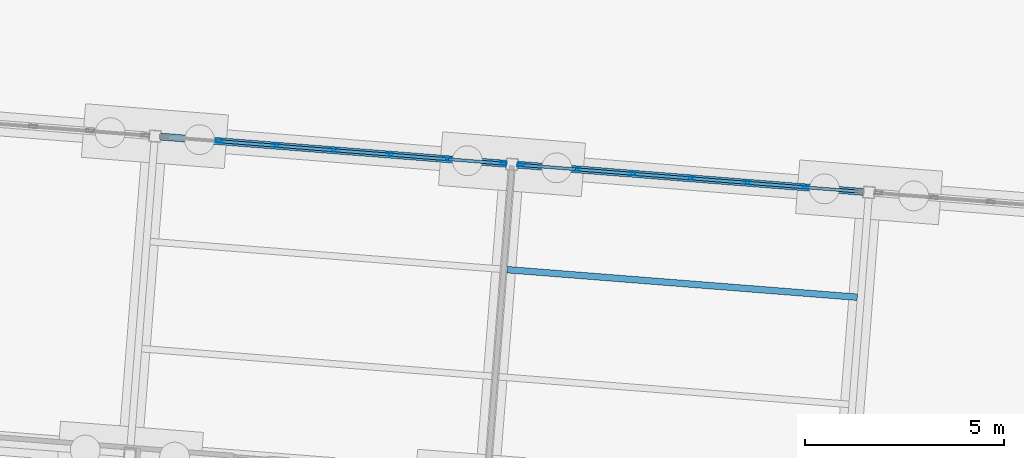
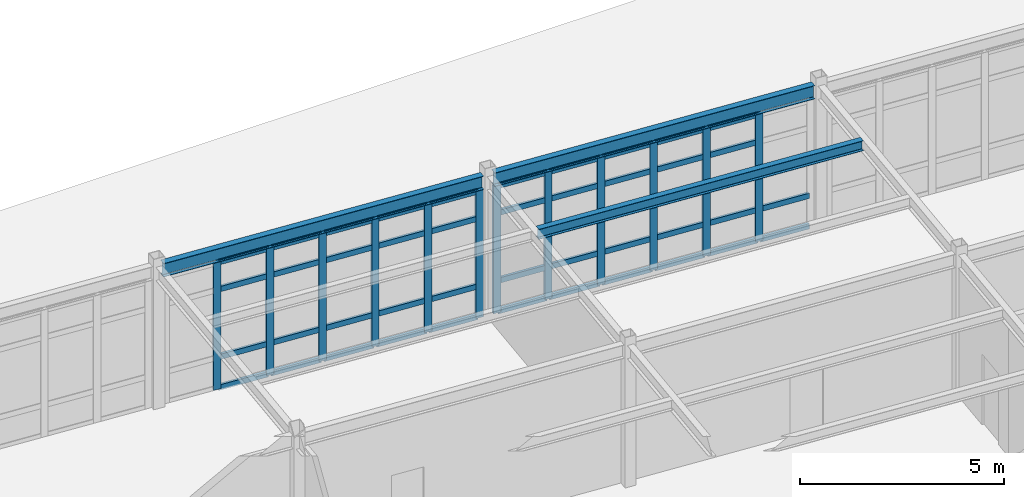
# One storey, part 80 of 154: 54 members, 3 beams, 2 elements without a shape of their own.
"""IFC4 building model written with IfcOpenShell, lengths in metres."""

from ifc_helpers import new_model, si_unit, direction, frame, origin, origin_2d, place, context, subcontext, project, spatial, hollow_rectangle, i_section, extrude, material, material_profile, profile_set, type_object, element, aggregate, save


model = new_model("IFC4")

# Units and contexts
model_context = context("Model", 3, precision=1e-05, world=origin(), true_north=direction((0.0, 1.0)))
body_context = subcontext(model_context, "Body", "Model", "MODEL_VIEW")
ifc_project = project(units=[si_unit("LENGTHUNIT", "METRE"), si_unit("AREAUNIT", "SQUARE_METRE"), si_unit("VOLUMEUNIT", "CUBIC_METRE"), si_unit("PLANEANGLEUNIT", "RADIAN"), si_unit("MASSUNIT", "GRAM", prefix="KILO")], contexts=[model_context])

# Site, building, storey
site_placement = place(None, origin())
site = spatial("IfcSite", under=ifc_project, at=site_placement, CompositionType="ELEMENT")
building_placement = place(site_placement, origin())
building = spatial("IfcBuilding", under=site, at=building_placement, Name="Kestramere Prow Commons", CompositionType="ELEMENT")
storey_placement = place(building_placement, origin())
storey = spatial("IfcBuildingStorey", under=building, at=storey_placement, Name="L00", CompositionType="ELEMENT", Elevation=0.0)

# Beams
ifc_material_1 = material(Name="Steel S355JR", Category="steel")
ifc_material_profile_1 = material_profile(ifc_material_1, i_section(OverallWidth=0.177978515625, OverallDepth=0.406494140625, WebThickness=0.0078125, FlangeThickness=0.0126953125, FilletRadius=0.01025390625, at=origin_2d()), Name="UB 406x178x60")
ifc_profile_set_1 = profile_set([ifc_material_profile_1], Name="Steel S355JR")
beam_type_1 = type_object("IfcBeamType", Name="BM-NR-01 UB 406x178x60 (EX)", PredefinedType="BEAM", material=ifc_profile_set_1)
beam_1_placement = place(storey_placement, frame((79.604736328125, 108.7080078125, 4.046875), z_axis=(0.996919433544, -0.078432410537, 0.0), x_axis=(0.078432410537, 0.996919433544, 0.0)))
element("IfcBeam", 1, at=beam_1_placement, inside=storey, type_object=beam_type_1, Name="Nursery L00 Beam U 4-2", PredefinedType="BEAM", context=body_context, shape_type="SweptSolid", body=[
    extrude(i_section(OverallWidth=0.177978515625, OverallDepth=0.406494140625, WebThickness=0.0078125, FlangeThickness=0.0126953125, FilletRadius=0.01025390625, at=origin_2d()), origin(), (0.0, 0.0, 1.0), 8.7001953125),
])
beam_2_placement = place(storey_placement, frame((88.5771484375, 108.001953125, 4.046875), z_axis=(0.996917066238, -0.078462494502, 0.0), x_axis=(0.078462494502, 0.996917066238, 0.0)))
element("IfcBeam", 2, at=beam_2_placement, inside=storey, type_object=beam_type_1, Name="Nursery L00 Beam U 4-3", PredefinedType="BEAM", context=body_context, shape_type="SweptSolid", body=[
    extrude(i_section(OverallWidth=0.177978515625, OverallDepth=0.406494140625, WebThickness=0.0078125, FlangeThickness=0.0126953125, FilletRadius=0.01025390625, at=origin_2d()), origin(), (0.0, 0.0, 1.0), 8.699951171875),
])

# Curtain wall, members
ifc_material_2 = material(Name="Anodised Aluminium and Low-E Glass", Category="aluminium")
curtain_wall_type = type_object("IfcCurtainWallType", Name="CW-13 Glazed Curtain Wall 8600x3830", PredefinedType="USERDEFINED", material=ifc_material_2)
curtain_wall_1_placement = place(storey_placement, origin())
curtain_wall_1 = element("IfcCurtainWall", 3, at=curtain_wall_1_placement, inside=storey, type_object=curtain_wall_type, Name="Nursery L00 North Garden Glazing 2", ObjectType="GLAZED CURTAIN WALL", PredefinedType="USERDEFINED")
ifc_material_3 = material(Name="Anodised Aluminium 6063-T6", Category="aluminium")
ifc_material_profile_2 = material_profile(ifc_material_3, hollow_rectangle(XDim=0.074951171875, YDim=0.199951171875, WallThickness=0.0048828125, at=origin_2d()), Name="ALU-MUL 75x200")
ifc_profile_set_2 = profile_set([ifc_material_profile_2], Name="Anodised Aluminium 6063-T6")
member_type_1 = type_object("IfcMemberType", Name="CW-MUL-75x200", PredefinedType="MULLION", material=ifc_profile_set_2)
member_1_placement = place(storey_placement, frame((81.08349609375, 108.591796875, 0.0), z_axis=(0.0, 0.0, 1.0), x_axis=(0.078459070568, 0.996917335713, 0.0)))
member_1 = element("IfcMember", 4, at=member_1_placement, type_object=member_type_1, Name="CW-13 mullion 2", PredefinedType="MULLION", context=body_context, shape_type="SweptSolid", body=[
    extrude(hollow_rectangle(XDim=0.074951171875, YDim=0.199951171875, WallThickness=0.0048828125, at=origin_2d()), origin(), (0.0, 0.0, 1.0), 3.830078125),
])
member_2_placement = place(storey_placement, frame((82.512451171875, 108.479248046875, 0.0), z_axis=(0.0, 0.0, 1.0), x_axis=(0.078459070568, 0.996917335713, 0.0)))
member_2 = element("IfcMember", 5, at=member_2_placement, type_object=member_type_1, Name="CW-13 mullion 3", PredefinedType="MULLION", context=body_context, shape_type="SweptSolid", body=[
    extrude(hollow_rectangle(XDim=0.074951171875, YDim=0.199951171875, WallThickness=0.0048828125, at=origin_2d()), origin(), (0.0, 0.0, 1.0), 3.830078125),
])
member_3_placement = place(storey_placement, frame((83.94140625, 108.36669921875, 0.0), z_axis=(0.0, 0.0, 1.0), x_axis=(0.078459070568, 0.996917335713, 0.0)))
member_3 = element("IfcMember", 6, at=member_3_placement, type_object=member_type_1, Name="CW-13 mullion 4", PredefinedType="MULLION", context=body_context, shape_type="SweptSolid", body=[
    extrude(hollow_rectangle(XDim=0.074951171875, YDim=0.199951171875, WallThickness=0.0048828125, at=origin_2d()), origin(), (0.0, 0.0, 1.0), 3.830078125),
])
member_4_placement = place(storey_placement, frame((85.370361328125, 108.25439453125, 0.0), z_axis=(0.0, 0.0, 1.0), x_axis=(0.078459070568, 0.996917335713, 0.0)))
member_4 = element("IfcMember", 7, at=member_4_placement, type_object=member_type_1, Name="CW-13 mullion 5", PredefinedType="MULLION", context=body_context, shape_type="SweptSolid", body=[
    extrude(hollow_rectangle(XDim=0.074951171875, YDim=0.199951171875, WallThickness=0.0048828125, at=origin_2d()), origin(), (0.0, 0.0, 1.0), 3.830078125),
])
member_5_placement = place(storey_placement, frame((86.79931640625, 108.141845703125, 0.0), z_axis=(0.0, 0.0, 1.0), x_axis=(0.078459070568, 0.996917335713, 0.0)))
member_5 = element("IfcMember", 8, at=member_5_placement, type_object=member_type_1, Name="CW-13 mullion 6", PredefinedType="MULLION", context=body_context, shape_type="SweptSolid", body=[
    extrude(hollow_rectangle(XDim=0.074951171875, YDim=0.199951171875, WallThickness=0.0048828125, at=origin_2d()), origin(), (0.0, 0.0, 1.0), 3.830078125),
])
member_6_placement = place(storey_placement, frame((88.190673828125, 108.032470703125, 0.0), z_axis=(0.0, 0.0, 1.0), x_axis=(0.078459070568, 0.996917335713, 0.0)))
member_6 = element("IfcMember", 9, at=member_6_placement, type_object=member_type_1, Name="CW-13 mullion 7", PredefinedType="MULLION", context=body_context, shape_type="SweptSolid", body=[
    extrude(hollow_rectangle(XDim=0.074951171875, YDim=0.199951171875, WallThickness=0.0048828125, at=origin_2d()), origin(), (0.0, 0.0, 1.0), 3.830078125),
])

curtain_wall_2_placement = place(storey_placement, origin())
curtain_wall_2 = element("IfcCurtainWall", 10, at=curtain_wall_2_placement, inside=storey, type_object=curtain_wall_type, Name="Nursery L00 North Garden Glazing 3", ObjectType="GLAZED CURTAIN WALL", PredefinedType="USERDEFINED")
member_7_placement = place(storey_placement, frame((88.664306640625, 107.9951171875, 0.0), z_axis=(0.0, 0.0, 1.0), x_axis=(0.078459070568, 0.996917335713, 0.0)))
member_7 = element("IfcMember", 11, at=member_7_placement, type_object=member_type_1, Name="CW-13 mullion 1", PredefinedType="MULLION", context=body_context, shape_type="SweptSolid", body=[
    extrude(hollow_rectangle(XDim=0.074951171875, YDim=0.199951171875, WallThickness=0.0048828125, at=origin_2d()), origin(), (0.0, 0.0, 1.0), 3.830078125),
])
member_8_placement = place(storey_placement, frame((90.055908203125, 107.885498046875, 0.0), z_axis=(0.0, 0.0, 1.0), x_axis=(0.078459070568, 0.996917335713, 0.0)))
member_8 = element("IfcMember", 12, at=member_8_placement, type_object=member_type_1, Name="CW-13 mullion 2", PredefinedType="MULLION", context=body_context, shape_type="SweptSolid", body=[
    extrude(hollow_rectangle(XDim=0.074951171875, YDim=0.199951171875, WallThickness=0.0048828125, at=origin_2d()), origin(), (0.0, 0.0, 1.0), 3.830078125),
])
member_9_placement = place(storey_placement, frame((91.48486328125, 107.773193359375, 0.0), z_axis=(0.0, 0.0, 1.0), x_axis=(0.078459070568, 0.996917335713, 0.0)))
member_9 = element("IfcMember", 13, at=member_9_placement, type_object=member_type_1, Name="CW-13 mullion 3", PredefinedType="MULLION", context=body_context, shape_type="SweptSolid", body=[
    extrude(hollow_rectangle(XDim=0.074951171875, YDim=0.199951171875, WallThickness=0.0048828125, at=origin_2d()), origin(), (0.0, 0.0, 1.0), 3.830078125),
])
member_10_placement = place(storey_placement, frame((92.91357421875, 107.66064453125, 0.0), z_axis=(0.0, 0.0, 1.0), x_axis=(0.078459070568, 0.996917335713, 0.0)))
member_10 = element("IfcMember", 14, at=member_10_placement, type_object=member_type_1, Name="CW-13 mullion 4", PredefinedType="MULLION", context=body_context, shape_type="SweptSolid", body=[
    extrude(hollow_rectangle(XDim=0.074951171875, YDim=0.199951171875, WallThickness=0.0048828125, at=origin_2d()), origin(), (0.0, 0.0, 1.0), 3.830078125),
])
member_11_placement = place(storey_placement, frame((94.342529296875, 107.54833984375, 0.0), z_axis=(0.0, 0.0, 1.0), x_axis=(0.078459070568, 0.996917335713, 0.0)))
member_11 = element("IfcMember", 15, at=member_11_placement, type_object=member_type_1, Name="CW-13 mullion 5", PredefinedType="MULLION", context=body_context, shape_type="SweptSolid", body=[
    extrude(hollow_rectangle(XDim=0.074951171875, YDim=0.199951171875, WallThickness=0.0048828125, at=origin_2d()), origin(), (0.0, 0.0, 1.0), 3.830078125),
])
member_12_placement = place(storey_placement, frame((95.771484375, 107.435791015625, 0.0), z_axis=(0.0, 0.0, 1.0), x_axis=(0.078459070568, 0.996917335713, 0.0)))
member_12 = element("IfcMember", 16, at=member_12_placement, type_object=member_type_1, Name="CW-13 mullion 6", PredefinedType="MULLION", context=body_context, shape_type="SweptSolid", body=[
    extrude(hollow_rectangle(XDim=0.074951171875, YDim=0.199951171875, WallThickness=0.0048828125, at=origin_2d()), origin(), (0.0, 0.0, 1.0), 3.830078125),
])

# Member
ifc_material_profile_3 = material_profile(ifc_material_3, hollow_rectangle(XDim=0.074951171875, YDim=0.159912109375, WallThickness=0.0048828125, at=origin_2d()), Name="ALU-TRN 75x160")
ifc_profile_set_3 = profile_set([ifc_material_profile_3], Name="Anodised Aluminium 6063-T6")
member_type_2 = type_object("IfcMemberType", Name="CW-TRN-75x160", PredefinedType="USERDEFINED", material=ifc_profile_set_3)
member_13_placement = place(storey_placement, frame((81.120849609375, 108.5888671875, 0.03759765625), z_axis=(0.996911122472, -0.078537977379, 0.0), x_axis=(0.078537977379, 0.996911122472, 0.0)))
member_13 = element("IfcMember", 17, at=member_13_placement, type_object=member_type_2, Name="CW-13 transom 2.1", ObjectType="TRANSOM", PredefinedType="USERDEFINED", context=body_context, shape_type="SweptSolid", body=[
    extrude(hollow_rectangle(XDim=0.074951171875, YDim=0.159912109375, WallThickness=0.0048828125, at=origin_2d()), origin(), (0.0, 0.0, 1.0), 1.3583984375),
])

member_14_placement = place(storey_placement, frame((81.120849609375, 108.5888671875, 0.949951171875), z_axis=(0.996911122472, -0.078537977379, 0.0), x_axis=(0.078537977379, 0.996911122472, 0.0)))
member_14 = element("IfcMember", 18, at=member_14_placement, type_object=member_type_2, Name="CW-13 transom 2.2", ObjectType="TRANSOM", PredefinedType="USERDEFINED", context=body_context, shape_type="SweptSolid", body=[
    extrude(hollow_rectangle(XDim=0.074951171875, YDim=0.159912109375, WallThickness=0.0048828125, at=origin_2d()), origin(), (0.0, 0.0, 1.0), 1.3583984375),
])

member_15_placement = place(storey_placement, frame((81.120849609375, 108.5888671875, 2.97998046875), z_axis=(0.996911122472, -0.078537977379, 0.0), x_axis=(0.078537977379, 0.996911122472, 0.0)))
member_15 = element("IfcMember", 19, at=member_15_placement, type_object=member_type_2, Name="CW-13 transom 2.3", ObjectType="TRANSOM", PredefinedType="USERDEFINED", context=body_context, shape_type="SweptSolid", body=[
    extrude(hollow_rectangle(XDim=0.074951171875, YDim=0.159912109375, WallThickness=0.0048828125, at=origin_2d()), origin(), (0.0, 0.0, 1.0), 1.3583984375),
])

member_16_placement = place(storey_placement, frame((81.120849609375, 108.5888671875, 3.79248046875), z_axis=(0.996911122472, -0.078537977379, 0.0), x_axis=(0.078537977379, 0.996911122472, 0.0)))
member_16 = element("IfcMember", 20, at=member_16_placement, type_object=member_type_2, Name="CW-13 transom 2.4", ObjectType="TRANSOM", PredefinedType="USERDEFINED", context=body_context, shape_type="SweptSolid", body=[
    extrude(hollow_rectangle(XDim=0.074951171875, YDim=0.159912109375, WallThickness=0.0048828125, at=origin_2d()), origin(), (0.0, 0.0, 1.0), 1.3583984375),
])

member_17_placement = place(storey_placement, frame((82.5498046875, 108.476318359375, 0.03759765625), z_axis=(0.996925177976, -0.078359361384, 0.0), x_axis=(0.078359361384, 0.996925177976, 0.0)))
member_17 = element("IfcMember", 21, at=member_17_placement, type_object=member_type_2, Name="CW-13 transom 3.1", ObjectType="TRANSOM", PredefinedType="USERDEFINED", context=body_context, shape_type="SweptSolid", body=[
    extrude(hollow_rectangle(XDim=0.074951171875, YDim=0.159912109375, WallThickness=0.0048828125, at=origin_2d()), origin(), (0.0, 0.0, 1.0), 1.3583984375),
])

member_18_placement = place(storey_placement, frame((82.5498046875, 108.476318359375, 0.949951171875), z_axis=(0.996925177976, -0.078359361384, 0.0), x_axis=(0.078359361384, 0.996925177976, 0.0)))
member_18 = element("IfcMember", 22, at=member_18_placement, type_object=member_type_2, Name="CW-13 transom 3.2", ObjectType="TRANSOM", PredefinedType="USERDEFINED", context=body_context, shape_type="SweptSolid", body=[
    extrude(hollow_rectangle(XDim=0.074951171875, YDim=0.159912109375, WallThickness=0.0048828125, at=origin_2d()), origin(), (0.0, 0.0, 1.0), 1.3583984375),
])

member_19_placement = place(storey_placement, frame((82.5498046875, 108.476318359375, 2.97998046875), z_axis=(0.996925177976, -0.078359361384, 0.0), x_axis=(0.078359361384, 0.996925177976, 0.0)))
member_19 = element("IfcMember", 23, at=member_19_placement, type_object=member_type_2, Name="CW-13 transom 3.3", ObjectType="TRANSOM", PredefinedType="USERDEFINED", context=body_context, shape_type="SweptSolid", body=[
    extrude(hollow_rectangle(XDim=0.074951171875, YDim=0.159912109375, WallThickness=0.0048828125, at=origin_2d()), origin(), (0.0, 0.0, 1.0), 1.3583984375),
])

member_20_placement = place(storey_placement, frame((82.5498046875, 108.476318359375, 3.79248046875), z_axis=(0.996925177976, -0.078359361384, 0.0), x_axis=(0.078359361384, 0.996925177976, 0.0)))
member_20 = element("IfcMember", 24, at=member_20_placement, type_object=member_type_2, Name="CW-13 transom 3.4", ObjectType="TRANSOM", PredefinedType="USERDEFINED", context=body_context, shape_type="SweptSolid", body=[
    extrude(hollow_rectangle(XDim=0.074951171875, YDim=0.159912109375, WallThickness=0.0048828125, at=origin_2d()), origin(), (0.0, 0.0, 1.0), 1.3583984375),
])

member_21_placement = place(storey_placement, frame((83.978759765625, 108.36376953125, 0.03759765625), z_axis=(0.996925177976, -0.078359361384, 0.0), x_axis=(0.078359361384, 0.996925177976, 0.0)))
member_21 = element("IfcMember", 25, at=member_21_placement, type_object=member_type_2, Name="CW-13 transom 4.1", ObjectType="TRANSOM", PredefinedType="USERDEFINED", context=body_context, shape_type="SweptSolid", body=[
    extrude(hollow_rectangle(XDim=0.074951171875, YDim=0.159912109375, WallThickness=0.0048828125, at=origin_2d()), origin(), (0.0, 0.0, 1.0), 1.3583984375),
])

member_22_placement = place(storey_placement, frame((83.978759765625, 108.36376953125, 0.949951171875), z_axis=(0.996925177976, -0.078359361384, 0.0), x_axis=(0.078359361384, 0.996925177976, 0.0)))
member_22 = element("IfcMember", 26, at=member_22_placement, type_object=member_type_2, Name="CW-13 transom 4.2", ObjectType="TRANSOM", PredefinedType="USERDEFINED", context=body_context, shape_type="SweptSolid", body=[
    extrude(hollow_rectangle(XDim=0.074951171875, YDim=0.159912109375, WallThickness=0.0048828125, at=origin_2d()), origin(), (0.0, 0.0, 1.0), 1.3583984375),
])

member_23_placement = place(storey_placement, frame((83.978759765625, 108.36376953125, 2.97998046875), z_axis=(0.996925177976, -0.078359361384, 0.0), x_axis=(0.078359361384, 0.996925177976, 0.0)))
member_23 = element("IfcMember", 27, at=member_23_placement, type_object=member_type_2, Name="CW-13 transom 4.3", ObjectType="TRANSOM", PredefinedType="USERDEFINED", context=body_context, shape_type="SweptSolid", body=[
    extrude(hollow_rectangle(XDim=0.074951171875, YDim=0.159912109375, WallThickness=0.0048828125, at=origin_2d()), origin(), (0.0, 0.0, 1.0), 1.3583984375),
])

member_24_placement = place(storey_placement, frame((83.978759765625, 108.36376953125, 3.79248046875), z_axis=(0.996925177976, -0.078359361384, 0.0), x_axis=(0.078359361384, 0.996925177976, 0.0)))
member_24 = element("IfcMember", 28, at=member_24_placement, type_object=member_type_2, Name="CW-13 transom 4.4", ObjectType="TRANSOM", PredefinedType="USERDEFINED", context=body_context, shape_type="SweptSolid", body=[
    extrude(hollow_rectangle(XDim=0.074951171875, YDim=0.159912109375, WallThickness=0.0048828125, at=origin_2d()), origin(), (0.0, 0.0, 1.0), 1.3583984375),
])

member_25_placement = place(storey_placement, frame((85.40771484375, 108.25146484375, 0.03759765625), z_axis=(0.996911122472, -0.078537977379, 0.0), x_axis=(0.078537977379, 0.996911122472, 0.0)))
member_25 = element("IfcMember", 29, at=member_25_placement, type_object=member_type_2, Name="CW-13 transom 5.1", ObjectType="TRANSOM", PredefinedType="USERDEFINED", context=body_context, shape_type="SweptSolid", body=[
    extrude(hollow_rectangle(XDim=0.074951171875, YDim=0.159912109375, WallThickness=0.0048828125, at=origin_2d()), origin(), (0.0, 0.0, 1.0), 1.3583984375),
])

member_26_placement = place(storey_placement, frame((85.40771484375, 108.25146484375, 0.949951171875), z_axis=(0.996911122472, -0.078537977379, 0.0), x_axis=(0.078537977379, 0.996911122472, 0.0)))
member_26 = element("IfcMember", 30, at=member_26_placement, type_object=member_type_2, Name="CW-13 transom 5.2", ObjectType="TRANSOM", PredefinedType="USERDEFINED", context=body_context, shape_type="SweptSolid", body=[
    extrude(hollow_rectangle(XDim=0.074951171875, YDim=0.159912109375, WallThickness=0.0048828125, at=origin_2d()), origin(), (0.0, 0.0, 1.0), 1.3583984375),
])

member_27_placement = place(storey_placement, frame((85.40771484375, 108.25146484375, 2.97998046875), z_axis=(0.996911122472, -0.078537977379, 0.0), x_axis=(0.078537977379, 0.996911122472, 0.0)))
member_27 = element("IfcMember", 31, at=member_27_placement, type_object=member_type_2, Name="CW-13 transom 5.3", ObjectType="TRANSOM", PredefinedType="USERDEFINED", context=body_context, shape_type="SweptSolid", body=[
    extrude(hollow_rectangle(XDim=0.074951171875, YDim=0.159912109375, WallThickness=0.0048828125, at=origin_2d()), origin(), (0.0, 0.0, 1.0), 1.3583984375),
])

member_28_placement = place(storey_placement, frame((85.40771484375, 108.25146484375, 3.79248046875), z_axis=(0.996911122472, -0.078537977379, 0.0), x_axis=(0.078537977379, 0.996911122472, 0.0)))
member_28 = element("IfcMember", 32, at=member_28_placement, type_object=member_type_2, Name="CW-13 transom 5.4", ObjectType="TRANSOM", PredefinedType="USERDEFINED", context=body_context, shape_type="SweptSolid", body=[
    extrude(hollow_rectangle(XDim=0.074951171875, YDim=0.159912109375, WallThickness=0.0048828125, at=origin_2d()), origin(), (0.0, 0.0, 1.0), 1.3583984375),
])

member_29_placement = place(storey_placement, frame((86.836669921875, 108.138916015625, 0.03759765625), z_axis=(0.996923667869, -0.078378571329, 0.0), x_axis=(0.078378571329, 0.996923667869, 0.0)))
member_29 = element("IfcMember", 33, at=member_29_placement, type_object=member_type_2, Name="CW-13 transom 6.1", ObjectType="TRANSOM", PredefinedType="USERDEFINED", context=body_context, shape_type="SweptSolid", body=[
    extrude(hollow_rectangle(XDim=0.074951171875, YDim=0.159912109375, WallThickness=0.0048828125, at=origin_2d()), origin(), (0.0, 0.0, 1.0), 1.32080078125),
])

member_30_placement = place(storey_placement, frame((86.836669921875, 108.138916015625, 0.949951171875), z_axis=(0.996923667869, -0.078378571329, 0.0), x_axis=(0.078378571329, 0.996923667869, 0.0)))
member_30 = element("IfcMember", 34, at=member_30_placement, type_object=member_type_2, Name="CW-13 transom 6.2", ObjectType="TRANSOM", PredefinedType="USERDEFINED", context=body_context, shape_type="SweptSolid", body=[
    extrude(hollow_rectangle(XDim=0.074951171875, YDim=0.159912109375, WallThickness=0.0048828125, at=origin_2d()), origin(), (0.0, 0.0, 1.0), 1.32080078125),
])

member_31_placement = place(storey_placement, frame((86.836669921875, 108.138916015625, 2.97998046875), z_axis=(0.996923667869, -0.078378571329, 0.0), x_axis=(0.078378571329, 0.996923667869, 0.0)))
member_31 = element("IfcMember", 35, at=member_31_placement, type_object=member_type_2, Name="CW-13 transom 6.3", ObjectType="TRANSOM", PredefinedType="USERDEFINED", context=body_context, shape_type="SweptSolid", body=[
    extrude(hollow_rectangle(XDim=0.074951171875, YDim=0.159912109375, WallThickness=0.0048828125, at=origin_2d()), origin(), (0.0, 0.0, 1.0), 1.32080078125),
])

member_32_placement = place(storey_placement, frame((86.836669921875, 108.138916015625, 3.79248046875), z_axis=(0.996923667869, -0.078378571329, 0.0), x_axis=(0.078378571329, 0.996923667869, 0.0)))
member_32 = element("IfcMember", 36, at=member_32_placement, type_object=member_type_2, Name="CW-13 transom 6.4", ObjectType="TRANSOM", PredefinedType="USERDEFINED", context=body_context, shape_type="SweptSolid", body=[
    extrude(hollow_rectangle(XDim=0.074951171875, YDim=0.159912109375, WallThickness=0.0048828125, at=origin_2d()), origin(), (0.0, 0.0, 1.0), 1.32080078125),
])

aggregate(curtain_wall_1, [member_1, member_2, member_3, member_4, member_5, member_6, member_13, member_14, member_15, member_16, member_17, member_18, member_19, member_20, member_21, member_22, member_23, member_24, member_25, member_26, member_27, member_28, member_29, member_30, member_31, member_32])

member_33_placement = place(storey_placement, frame((88.70166015625, 107.9921875, 0.03759765625), z_axis=(0.996910347642, -0.078547811967, 0.0), x_axis=(0.078547811967, 0.996910347642, 0.0)))
member_33 = element("IfcMember", 37, at=member_33_placement, type_object=member_type_2, Name="CW-13 transom 1.1", ObjectType="TRANSOM", PredefinedType="USERDEFINED", context=body_context, shape_type="SweptSolid", body=[
    extrude(hollow_rectangle(XDim=0.074951171875, YDim=0.159912109375, WallThickness=0.0048828125, at=origin_2d()), origin(), (0.0, 0.0, 1.0), 1.321044921875),
])

member_34_placement = place(storey_placement, frame((88.70166015625, 107.9921875, 0.949951171875), z_axis=(0.996910347642, -0.078547811967, 0.0), x_axis=(0.078547811967, 0.996910347642, 0.0)))
member_34 = element("IfcMember", 38, at=member_34_placement, type_object=member_type_2, Name="CW-13 transom 1.2", ObjectType="TRANSOM", PredefinedType="USERDEFINED", context=body_context, shape_type="SweptSolid", body=[
    extrude(hollow_rectangle(XDim=0.074951171875, YDim=0.159912109375, WallThickness=0.0048828125, at=origin_2d()), origin(), (0.0, 0.0, 1.0), 1.321044921875),
])

member_35_placement = place(storey_placement, frame((88.70166015625, 107.9921875, 2.97998046875), z_axis=(0.996910347642, -0.078547811967, 0.0), x_axis=(0.078547811967, 0.996910347642, 0.0)))
member_35 = element("IfcMember", 39, at=member_35_placement, type_object=member_type_2, Name="CW-13 transom 1.3", ObjectType="TRANSOM", PredefinedType="USERDEFINED", context=body_context, shape_type="SweptSolid", body=[
    extrude(hollow_rectangle(XDim=0.074951171875, YDim=0.159912109375, WallThickness=0.0048828125, at=origin_2d()), origin(), (0.0, 0.0, 1.0), 1.321044921875),
])

member_36_placement = place(storey_placement, frame((88.70166015625, 107.9921875, 3.79248046875), z_axis=(0.996910347642, -0.078547811967, 0.0), x_axis=(0.078547811967, 0.996910347642, 0.0)))
member_36 = element("IfcMember", 40, at=member_36_placement, type_object=member_type_2, Name="CW-13 transom 1.4", ObjectType="TRANSOM", PredefinedType="USERDEFINED", context=body_context, shape_type="SweptSolid", body=[
    extrude(hollow_rectangle(XDim=0.074951171875, YDim=0.159912109375, WallThickness=0.0048828125, at=origin_2d()), origin(), (0.0, 0.0, 1.0), 1.321044921875),
])

member_37_placement = place(storey_placement, frame((90.09326171875, 107.882568359375, 0.03759765625), z_axis=(0.996924074145, -0.078373403593, 0.0), x_axis=(0.078373403593, 0.996924074145, 0.0)))
member_37 = element("IfcMember", 41, at=member_37_placement, type_object=member_type_2, Name="CW-13 transom 2.1", ObjectType="TRANSOM", PredefinedType="USERDEFINED", context=body_context, shape_type="SweptSolid", body=[
    extrude(hollow_rectangle(XDim=0.074951171875, YDim=0.159912109375, WallThickness=0.0048828125, at=origin_2d()), origin(), (0.0, 0.0, 1.0), 1.358154296875),
])

member_38_placement = place(storey_placement, frame((90.09326171875, 107.882568359375, 0.949951171875), z_axis=(0.996924074145, -0.078373403593, 0.0), x_axis=(0.078373403593, 0.996924074145, 0.0)))
member_38 = element("IfcMember", 42, at=member_38_placement, type_object=member_type_2, Name="CW-13 transom 2.2", ObjectType="TRANSOM", PredefinedType="USERDEFINED", context=body_context, shape_type="SweptSolid", body=[
    extrude(hollow_rectangle(XDim=0.074951171875, YDim=0.159912109375, WallThickness=0.0048828125, at=origin_2d()), origin(), (0.0, 0.0, 1.0), 1.358154296875),
])

member_39_placement = place(storey_placement, frame((90.09326171875, 107.882568359375, 2.97998046875), z_axis=(0.996924074145, -0.078373403593, 0.0), x_axis=(0.078373403593, 0.996924074145, 0.0)))
member_39 = element("IfcMember", 43, at=member_39_placement, type_object=member_type_2, Name="CW-13 transom 2.3", ObjectType="TRANSOM", PredefinedType="USERDEFINED", context=body_context, shape_type="SweptSolid", body=[
    extrude(hollow_rectangle(XDim=0.074951171875, YDim=0.159912109375, WallThickness=0.0048828125, at=origin_2d()), origin(), (0.0, 0.0, 1.0), 1.358154296875),
])

member_40_placement = place(storey_placement, frame((90.09326171875, 107.882568359375, 3.79248046875), z_axis=(0.996924074145, -0.078373403593, 0.0), x_axis=(0.078373403593, 0.996924074145, 0.0)))
member_40 = element("IfcMember", 44, at=member_40_placement, type_object=member_type_2, Name="CW-13 transom 2.4", ObjectType="TRANSOM", PredefinedType="USERDEFINED", context=body_context, shape_type="SweptSolid", body=[
    extrude(hollow_rectangle(XDim=0.074951171875, YDim=0.159912109375, WallThickness=0.0048828125, at=origin_2d()), origin(), (0.0, 0.0, 1.0), 1.358154296875),
])

member_41_placement = place(storey_placement, frame((91.522216796875, 107.770263671875, 0.03759765625), z_axis=(0.996910013618, -0.078552051199, 0.0), x_axis=(0.078552051199, 0.996910013618, 0.0)))
member_41 = element("IfcMember", 45, at=member_41_placement, type_object=member_type_2, Name="CW-13 transom 3.1", ObjectType="TRANSOM", PredefinedType="USERDEFINED", context=body_context, shape_type="SweptSolid", body=[
    extrude(hollow_rectangle(XDim=0.074951171875, YDim=0.159912109375, WallThickness=0.0048828125, at=origin_2d()), origin(), (0.0, 0.0, 1.0), 1.358154296875),
])

member_42_placement = place(storey_placement, frame((91.522216796875, 107.770263671875, 0.949951171875), z_axis=(0.996910013618, -0.078552051199, 0.0), x_axis=(0.078552051199, 0.996910013618, 0.0)))
member_42 = element("IfcMember", 46, at=member_42_placement, type_object=member_type_2, Name="CW-13 transom 3.2", ObjectType="TRANSOM", PredefinedType="USERDEFINED", context=body_context, shape_type="SweptSolid", body=[
    extrude(hollow_rectangle(XDim=0.074951171875, YDim=0.159912109375, WallThickness=0.0048828125, at=origin_2d()), origin(), (0.0, 0.0, 1.0), 1.358154296875),
])

member_43_placement = place(storey_placement, frame((91.522216796875, 107.770263671875, 2.97998046875), z_axis=(0.996910013618, -0.078552051199, 0.0), x_axis=(0.078552051199, 0.996910013618, 0.0)))
member_43 = element("IfcMember", 47, at=member_43_placement, type_object=member_type_2, Name="CW-13 transom 3.3", ObjectType="TRANSOM", PredefinedType="USERDEFINED", context=body_context, shape_type="SweptSolid", body=[
    extrude(hollow_rectangle(XDim=0.074951171875, YDim=0.159912109375, WallThickness=0.0048828125, at=origin_2d()), origin(), (0.0, 0.0, 1.0), 1.358154296875),
])

member_44_placement = place(storey_placement, frame((91.522216796875, 107.770263671875, 3.79248046875), z_axis=(0.996910013618, -0.078552051199, 0.0), x_axis=(0.078552051199, 0.996910013618, 0.0)))
member_44 = element("IfcMember", 48, at=member_44_placement, type_object=member_type_2, Name="CW-13 transom 3.4", ObjectType="TRANSOM", PredefinedType="USERDEFINED", context=body_context, shape_type="SweptSolid", body=[
    extrude(hollow_rectangle(XDim=0.074951171875, YDim=0.159912109375, WallThickness=0.0048828125, at=origin_2d()), origin(), (0.0, 0.0, 1.0), 1.358154296875),
])

member_45_placement = place(storey_placement, frame((92.950927734375, 107.65771484375, 0.03759765625), z_axis=(0.996925177976, -0.078359361384, 0.0), x_axis=(0.078359361384, 0.996925177976, 0.0)))
member_45 = element("IfcMember", 49, at=member_45_placement, type_object=member_type_2, Name="CW-13 transom 4.1", ObjectType="TRANSOM", PredefinedType="USERDEFINED", context=body_context, shape_type="SweptSolid", body=[
    extrude(hollow_rectangle(XDim=0.074951171875, YDim=0.159912109375, WallThickness=0.0048828125, at=origin_2d()), origin(), (0.0, 0.0, 1.0), 1.3583984375),
])

member_46_placement = place(storey_placement, frame((92.950927734375, 107.65771484375, 0.949951171875), z_axis=(0.996925177976, -0.078359361384, 0.0), x_axis=(0.078359361384, 0.996925177976, 0.0)))
member_46 = element("IfcMember", 50, at=member_46_placement, type_object=member_type_2, Name="CW-13 transom 4.2", ObjectType="TRANSOM", PredefinedType="USERDEFINED", context=body_context, shape_type="SweptSolid", body=[
    extrude(hollow_rectangle(XDim=0.074951171875, YDim=0.159912109375, WallThickness=0.0048828125, at=origin_2d()), origin(), (0.0, 0.0, 1.0), 1.3583984375),
])

member_47_placement = place(storey_placement, frame((92.950927734375, 107.65771484375, 2.97998046875), z_axis=(0.996925177976, -0.078359361384, 0.0), x_axis=(0.078359361384, 0.996925177976, 0.0)))
member_47 = element("IfcMember", 51, at=member_47_placement, type_object=member_type_2, Name="CW-13 transom 4.3", ObjectType="TRANSOM", PredefinedType="USERDEFINED", context=body_context, shape_type="SweptSolid", body=[
    extrude(hollow_rectangle(XDim=0.074951171875, YDim=0.159912109375, WallThickness=0.0048828125, at=origin_2d()), origin(), (0.0, 0.0, 1.0), 1.3583984375),
])

member_48_placement = place(storey_placement, frame((92.950927734375, 107.65771484375, 3.79248046875), z_axis=(0.996925177976, -0.078359361384, 0.0), x_axis=(0.078359361384, 0.996925177976, 0.0)))
member_48 = element("IfcMember", 52, at=member_48_placement, type_object=member_type_2, Name="CW-13 transom 4.4", ObjectType="TRANSOM", PredefinedType="USERDEFINED", context=body_context, shape_type="SweptSolid", body=[
    extrude(hollow_rectangle(XDim=0.074951171875, YDim=0.159912109375, WallThickness=0.0048828125, at=origin_2d()), origin(), (0.0, 0.0, 1.0), 1.3583984375),
])

member_49_placement = place(storey_placement, frame((94.3798828125, 107.545166015625, 0.03759765625), z_axis=(0.996925177976, -0.078359361384, 0.0), x_axis=(0.078359361384, 0.996925177976, 0.0)))
member_49 = element("IfcMember", 53, at=member_49_placement, type_object=member_type_2, Name="CW-13 transom 5.1", ObjectType="TRANSOM", PredefinedType="USERDEFINED", context=body_context, shape_type="SweptSolid", body=[
    extrude(hollow_rectangle(XDim=0.074951171875, YDim=0.159912109375, WallThickness=0.0048828125, at=origin_2d()), origin(), (0.0, 0.0, 1.0), 1.3583984375),
])

member_50_placement = place(storey_placement, frame((94.3798828125, 107.545166015625, 0.949951171875), z_axis=(0.996925177976, -0.078359361384, 0.0), x_axis=(0.078359361384, 0.996925177976, 0.0)))
member_50 = element("IfcMember", 54, at=member_50_placement, type_object=member_type_2, Name="CW-13 transom 5.2", ObjectType="TRANSOM", PredefinedType="USERDEFINED", context=body_context, shape_type="SweptSolid", body=[
    extrude(hollow_rectangle(XDim=0.074951171875, YDim=0.159912109375, WallThickness=0.0048828125, at=origin_2d()), origin(), (0.0, 0.0, 1.0), 1.3583984375),
])

member_51_placement = place(storey_placement, frame((94.3798828125, 107.545166015625, 2.97998046875), z_axis=(0.996925177976, -0.078359361384, 0.0), x_axis=(0.078359361384, 0.996925177976, 0.0)))
member_51 = element("IfcMember", 55, at=member_51_placement, type_object=member_type_2, Name="CW-13 transom 5.3", ObjectType="TRANSOM", PredefinedType="USERDEFINED", context=body_context, shape_type="SweptSolid", body=[
    extrude(hollow_rectangle(XDim=0.074951171875, YDim=0.159912109375, WallThickness=0.0048828125, at=origin_2d()), origin(), (0.0, 0.0, 1.0), 1.3583984375),
])

member_52_placement = place(storey_placement, frame((94.3798828125, 107.545166015625, 3.79248046875), z_axis=(0.996925177976, -0.078359361384, 0.0), x_axis=(0.078359361384, 0.996925177976, 0.0)))
member_52 = element("IfcMember", 56, at=member_52_placement, type_object=member_type_2, Name="CW-13 transom 5.4", ObjectType="TRANSOM", PredefinedType="USERDEFINED", context=body_context, shape_type="SweptSolid", body=[
    extrude(hollow_rectangle(XDim=0.074951171875, YDim=0.159912109375, WallThickness=0.0048828125, at=origin_2d()), origin(), (0.0, 0.0, 1.0), 1.3583984375),
])

member_53_placement = place(storey_placement, frame((95.808837890625, 107.432861328125, 0.03759765625), z_axis=(0.996910347642, -0.078547811967, 0.0), x_axis=(0.078547811967, 0.996910347642, 0.0)))
member_53 = element("IfcMember", 57, at=member_53_placement, type_object=member_type_2, Name="CW-13 transom 6.1", ObjectType="TRANSOM", PredefinedType="USERDEFINED", context=body_context, shape_type="SweptSolid", body=[
    extrude(hollow_rectangle(XDim=0.074951171875, YDim=0.159912109375, WallThickness=0.0048828125, at=origin_2d()), origin(), (0.0, 0.0, 1.0), 1.321044921875),
])

member_54_placement = place(storey_placement, frame((95.808837890625, 107.432861328125, 0.949951171875), z_axis=(0.996910347642, -0.078547811967, 0.0), x_axis=(0.078547811967, 0.996910347642, 0.0)))
member_54 = element("IfcMember", 58, at=member_54_placement, type_object=member_type_2, Name="CW-13 transom 6.2", ObjectType="TRANSOM", PredefinedType="USERDEFINED", context=body_context, shape_type="SweptSolid", body=[
    extrude(hollow_rectangle(XDim=0.074951171875, YDim=0.159912109375, WallThickness=0.0048828125, at=origin_2d()), origin(), (0.0, 0.0, 1.0), 1.321044921875),
])

aggregate(curtain_wall_2, [member_7, member_8, member_9, member_10, member_11, member_12, member_33, member_34, member_35, member_36, member_37, member_38, member_39, member_40, member_41, member_42, member_43, member_44, member_45, member_46, member_47, member_48, member_49, member_50, member_51, member_52, member_53, member_54])

# Beam
ifc_material_profile_4 = material_profile(ifc_material_1, i_section(OverallWidth=0.1650390625, OverallDepth=0.303466796875, WebThickness=0.006103515625, FlangeThickness=0.01025390625, FilletRadius=0.0087890625, at=origin_2d()), Name="UB 305x165x40")
ifc_profile_set_4 = profile_set([ifc_material_profile_4], Name="Steel S355JR")
beam_type_2 = type_object("IfcBeamType", Name="JST-NR-01 UB 305x165x40", PredefinedType="JOIST", material=ifc_profile_set_4)
beam_3_placement = place(storey_placement, frame((88.308349609375, 105.364990234375, 4.098388671875), z_axis=(0.996917659029, -0.07845496234, 0.0), x_axis=(0.07845496234, 0.996917659029, 0.0)))
element("IfcBeam", 59, at=beam_3_placement, inside=storey, type_object=beam_type_2, Name="Nursery L00 Secondary Joist 3-3", PredefinedType="JOIST", context=body_context, shape_type="SweptSolid", body=[
    extrude(i_section(OverallWidth=0.1650390625, OverallDepth=0.303466796875, WebThickness=0.006103515625, FlangeThickness=0.01025390625, FilletRadius=0.0087890625, at=origin_2d()), origin(), (0.0, 0.0, 1.0), 8.822021484375),
])

save(model, "model.ifc")
